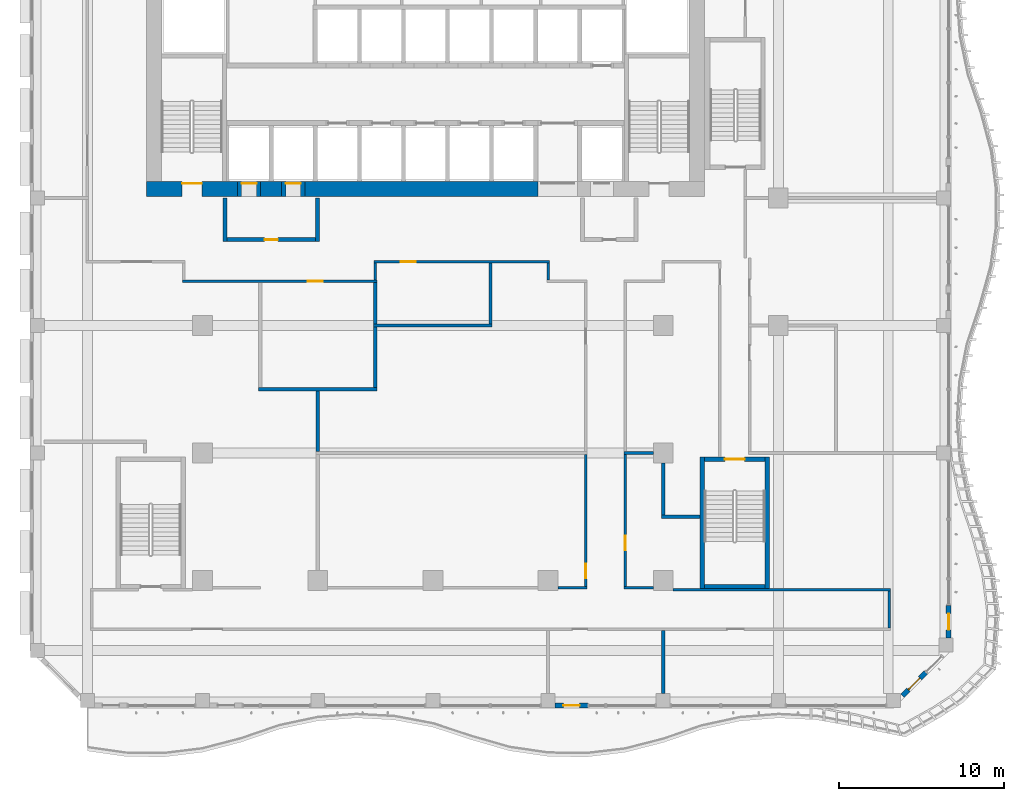
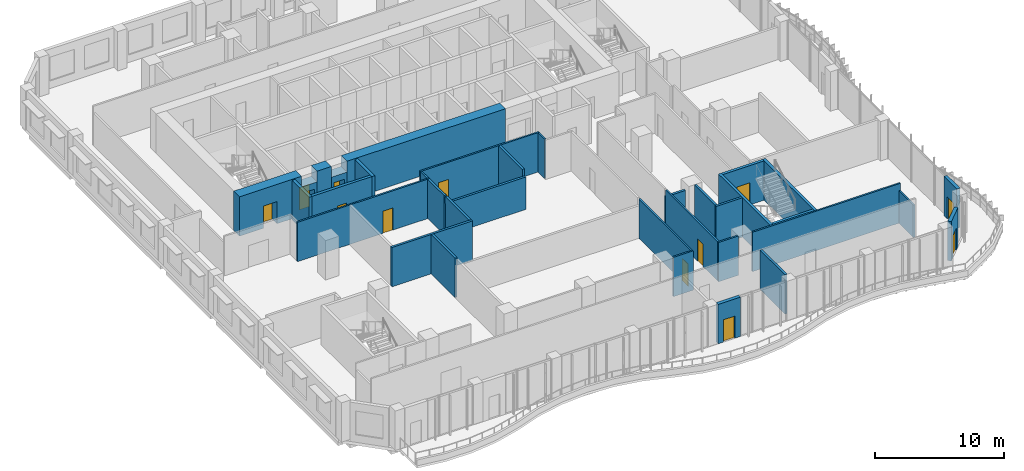
# One storey, part 11 of 26: 35 walls, 12 doors, 12 openings.
"""IFC4 building model written with IfcOpenShell, lengths in metres."""

from ifc_helpers import new_model, si_unit, direction, frame, frame_2d, origin, place, context, subcontext, project, spatial, rectangle, extrude, source, transform, mapped, material, layer, layer_set, type_object, element, fill, save


model = new_model("IFC4")

# Units and contexts
model_context = context("Model", 3, precision=1e-05, world=origin(), true_north=direction((0.0, 1.0)))
body_context = subcontext(model_context, "Body", "Model", "MODEL_VIEW")
ifc_project = project(units=[si_unit("LENGTHUNIT", "METRE"), si_unit("AREAUNIT", "SQUARE_METRE"), si_unit("VOLUMEUNIT", "CUBIC_METRE"), si_unit("PLANEANGLEUNIT", "RADIAN"), si_unit("MASSUNIT", "GRAM", prefix="KILO")], contexts=[model_context])

# Site, building, storey
site_placement = place(None, origin())
site = spatial("IfcSite", under=ifc_project, at=site_placement, CompositionType="ELEMENT")
building_placement = place(site_placement, origin())
building = spatial("IfcBuilding", under=site, at=building_placement, Name="Kilnfold Tower and Market Hall", CompositionType="ELEMENT")
storey_placement = place(building_placement, frame((0.0, 0.0, 108.60009765625)))
storey = spatial("IfcBuildingStorey", under=building, at=storey_placement, Name="L25", CompositionType="ELEMENT", Elevation=108.60009765625)

# Wall, opening, door
ifc_material_1 = material(Name="Gypsum board on steel studs", Category="steel")
ifc_layer_1 = layer(ifc_material_1, 0.14990234375)
ifc_layer_set_1 = layer_set([ifc_layer_1], Name="Gypsum board on steel studs")
wall_type_1 = type_object("IfcWallType", Name="WALL CORRIDOR 150", PredefinedType="PARTITIONING", material=ifc_layer_set_1)
wall_1_placement = place(storey_placement, frame((-13.735107421875, 2.949951171875, 0.0), z_axis=(0.0, 0.0, 1.0), x_axis=(1.0, 0.0, 0.0)))
wall_1 = element("IfcWall", 1, at=wall_1_placement, inside=storey, type_object=wall_type_1, Name="Partition LY16.3", PredefinedType="PARTITIONING", context=body_context, shape_type="SweptSolid", body=[
    extrude(rectangle(XDim=11.835205078125, YDim=0.14990234375, at=frame_2d((5.91748046875, 0.0))), origin(), (0.0, 0.0, 1.0), 3.719970703125),
])
opening_1_placement = place(wall_1_placement, frame((7.6298828125, 0.0, 0.0)))
opening_1 = element("IfcOpeningElement", 2, at=opening_1_placement, cuts=wall_1, Name="Opening D2", PredefinedType="OPENING", context=body_context, shape_type="SweptSolid", body=[
    extrude(rectangle(XDim=0.89990234375, YDim=2.10009765625, at=frame_2d((0.449951171875, 1.050048828125))), frame((0.0, 0.0849609375, 0.0), z_axis=(0.0, -1.0, 0.0), x_axis=(1.0, 0.0, 0.0)), (0.0, 0.0, 1.0), 0.169921875),
])
ifc_material_2 = material(Name="Timber veneer door leaf in steel frame", Category="steel")
door_type_1 = type_object("IfcDoorType", Name="DOOR ROOM 900 X2100", OperationType="NOTDEFINED", PredefinedType="DOOR", material=ifc_material_2)
door_1_placement = place(opening_1_placement, origin())
door_1 = element("IfcDoor", 3, at=door_1_placement, inside=storey, type_object=door_type_1, Name="Door D2", OperationType="SINGLE_SWING_RIGHT", OverallHeight=2.10009765625, OverallWidth=0.89990234375, PredefinedType="DOOR", context=body_context, shape_type="SweptSolid", body=[
    extrude(rectangle(XDim=0.89990234375, YDim=2.10009765625, at=frame_2d((0.449951171875, 1.050048828125))), frame((0.0, 0.02490234375, 0.0), z_axis=(0.0, -1.0, 0.0), x_axis=(1.0, 0.0, 0.0)), (0.0, 0.0, 1.0), 0.050048828125),
])
fill(opening_1, door_1)

wall_2_placement = place(storey_placement, frame((-2.074951171875, 4.125, 0.0), z_axis=(0.0, 0.0, 1.0), x_axis=(1.0, 0.0, 0.0)))
wall_2 = element("IfcWall", 4, at=wall_2_placement, inside=storey, type_object=wall_type_1, Name="Partition LY16.10", PredefinedType="PARTITIONING", context=body_context, shape_type="SweptSolid", body=[
    extrude(rectangle(XDim=10.64990234375, YDim=0.14990234375, at=frame_2d((5.324951171875, 0.0))), origin(), (0.0, 0.0, 1.0), 3.719970703125),
])
opening_2_placement = place(wall_2_placement, frame((1.62109375, 0.0, 0.0)))
opening_2 = element("IfcOpeningElement", 5, at=opening_2_placement, cuts=wall_2, Name="Opening D3", PredefinedType="OPENING", context=body_context, shape_type="SweptSolid", body=[
    extrude(rectangle(XDim=0.89990234375, YDim=2.10009765625, at=frame_2d((0.449951171875, 1.050048828125))), frame((0.0, 0.0849609375, 0.0), z_axis=(0.0, -1.0, 0.0), x_axis=(1.0, 0.0, 0.0)), (0.0, 0.0, 1.0), 0.169921875),
])
ifc_material_3 = material(Name="Timber veneer door leaf in steel frame", Category="steel")
door_type_2 = type_object("IfcDoorType", Name="DOOR WC 900 X2100", OperationType="NOTDEFINED", PredefinedType="DOOR", material=ifc_material_3)
door_2_placement = place(opening_2_placement, origin())
door_2 = element("IfcDoor", 6, at=door_2_placement, inside=storey, type_object=door_type_2, Name="Door D3", OperationType="SINGLE_SWING_LEFT", OverallHeight=2.10009765625, OverallWidth=0.89990234375, PredefinedType="DOOR", context=body_context, shape_type="SweptSolid", body=[
    extrude(rectangle(XDim=0.89990234375, YDim=2.10009765625, at=frame_2d((0.449951171875, 1.050048828125))), frame((0.0, 0.02490234375, 0.0), z_axis=(0.0, -1.0, 0.0), x_axis=(1.0, 0.0, 0.0)), (0.0, 0.0, 1.0), 0.050048828125),
])
fill(opening_2, door_2)

# Walls
wall_3_placement = place(storey_placement, frame((-2.0, 3.02490234375, 0.0), z_axis=(0.0, 0.0, 1.0), x_axis=(0.0, 1.0, 0.0)))
element("IfcWall", 7, at=wall_3_placement, inside=storey, type_object=wall_type_1, Name="Partition LY16.11", PredefinedType="PARTITIONING", context=body_context, shape_type="SweptSolid", body=[
    extrude(rectangle(XDim=1.025146484375, YDim=0.14990234375, at=frame_2d((0.5126953125, 0.0))), origin(), (0.0, 0.0, 1.0), 3.719970703125),
])
wall_4_placement = place(storey_placement, frame((9.10009765625, -15.699951171875, 0.0), z_axis=(0.0, 0.0, 1.0), x_axis=(1.0, 0.0, 0.0)))
element("IfcWall", 8, at=wall_4_placement, inside=storey, type_object=wall_type_1, Name="Partition LY16.14", PredefinedType="PARTITIONING", context=body_context, shape_type="SweptSolid", body=[
    extrude(rectangle(XDim=1.77490234375, YDim=0.14990234375, at=frame_2d((0.887451171875, 0.0))), origin(), (0.0, 0.0, 1.0), 3.719970703125),
])

# Wall, opening, door
wall_5_placement = place(storey_placement, frame((10.800048828125, -15.625, 0.0), z_axis=(0.0, 0.0, 1.0), x_axis=(0.0, 1.0, 0.0)))
wall_5 = element("IfcWall", 9, at=wall_5_placement, inside=storey, type_object=wall_type_1, Name="Partition LY16.15", PredefinedType="PARTITIONING", context=body_context, shape_type="SweptSolid", body=[
    extrude(rectangle(XDim=8.034912109375, YDim=0.14990234375, at=frame_2d((4.017578125, 0.0))), origin(), (0.0, 0.0, 1.0), 3.719970703125),
])
opening_3_placement = place(wall_5_placement, frame((0.501953125, 0.0, 0.0)))
opening_3 = element("IfcOpeningElement", 10, at=opening_3_placement, cuts=wall_5, Name="Opening D2", PredefinedType="OPENING", context=body_context, shape_type="SweptSolid", body=[
    extrude(rectangle(XDim=0.89990234375, YDim=2.10009765625, at=frame_2d((0.449951171875, 1.050048828125))), frame((0.0, 0.0849609375, 0.0), z_axis=(0.0, -1.0, 0.0), x_axis=(1.0, 0.0, 0.0)), (0.0, 0.0, 1.0), 0.169921875),
])
door_3_placement = place(opening_3_placement, origin())
door_3 = element("IfcDoor", 11, at=door_3_placement, inside=storey, type_object=door_type_1, Name="Door D2", OperationType="SINGLE_SWING_LEFT", OverallHeight=2.10009765625, OverallWidth=0.89990234375, PredefinedType="DOOR", context=body_context, shape_type="SweptSolid", body=[
    extrude(rectangle(XDim=0.89990234375, YDim=2.10009765625, at=frame_2d((0.449951171875, 1.050048828125))), frame((0.0, 0.02490234375, 0.0), z_axis=(0.0, -1.0, 0.0), x_axis=(1.0, 0.0, 0.0)), (0.0, 0.0, 1.0), 0.050048828125),
])
fill(opening_3, door_3)

# Walls
wall_6_placement = place(storey_placement, frame((8.5, 4.050048828125, 0.0), z_axis=(0.0, 0.0, 1.0), x_axis=(0.0, -1.0, 0.0)))
element("IfcWall", 12, at=wall_6_placement, inside=storey, type_object=wall_type_1, Name="Partition LY16.18", PredefinedType="PARTITIONING", context=body_context, shape_type="SweptSolid", body=[
    extrude(rectangle(XDim=1.025146484375, YDim=0.14990234375, at=frame_2d((0.5126953125, 0.0))), origin(), (0.0, 0.0, 1.0), 3.719970703125),
])
wall_7_placement = place(storey_placement, frame((13.125, -15.699951171875, 0.0), z_axis=(0.0, 0.0, 1.0), x_axis=(1.0, 0.0, 0.0)))
element("IfcWall", 13, at=wall_7_placement, inside=storey, type_object=wall_type_1, Name="Partition LY16.19", PredefinedType="PARTITIONING", context=body_context, shape_type="SweptSolid", body=[
    extrude(rectangle(XDim=1.77490234375, YDim=0.14990234375, at=frame_2d((0.887451171875, 0.0))), origin(), (0.0, 0.0, 1.0), 3.719970703125),
])
wall_8_placement = place(storey_placement, frame((16.10009765625, -15.824951171875, 0.0), z_axis=(0.0, 0.0, 1.0), x_axis=(1.0, 0.0, 0.0)))
element("IfcWall", 14, at=wall_8_placement, inside=storey, type_object=wall_type_1, Name="Partition LY16.20", PredefinedType="PARTITIONING", context=body_context, shape_type="SweptSolid", body=[
    extrude(rectangle(XDim=13.224853515625, YDim=0.14990234375, at=frame_2d((6.6123046875, 0.0))), origin(), (0.0, 0.0, 1.0), 3.719970703125),
])

# Wall, opening, door
wall_9_placement = place(storey_placement, frame((13.199951171875, -15.625, 0.0), z_axis=(0.0, 0.0, 1.0), x_axis=(0.0, 1.0, 0.0)))
wall_9 = element("IfcWall", 15, at=wall_9_placement, inside=storey, type_object=wall_type_1, Name="Partition LY16.21", PredefinedType="PARTITIONING", context=body_context, shape_type="SweptSolid", body=[
    extrude(rectangle(XDim=8.034912109375, YDim=0.14990234375, at=frame_2d((4.017578125, 0.0))), origin(), (0.0, 0.0, 1.0), 3.719970703125),
])
opening_4_placement = place(wall_9_placement, frame((2.2099609375, 0.0, 0.0)))
opening_4 = element("IfcOpeningElement", 16, at=opening_4_placement, cuts=wall_9, Name="Opening D3", PredefinedType="OPENING", context=body_context, shape_type="SweptSolid", body=[
    extrude(rectangle(XDim=0.89990234375, YDim=2.10009765625, at=frame_2d((0.449951171875, 1.050048828125))), frame((0.0, 0.0849609375, 0.0), z_axis=(0.0, -1.0, 0.0), x_axis=(1.0, 0.0, 0.0)), (0.0, 0.0, 1.0), 0.169921875),
])
door_4_placement = place(opening_4_placement, origin())
door_4 = element("IfcDoor", 17, at=door_4_placement, inside=storey, type_object=door_type_2, Name="Door D3", OperationType="SINGLE_SWING_LEFT", OverallHeight=2.10009765625, OverallWidth=0.89990234375, PredefinedType="DOOR", context=body_context, shape_type="SweptSolid", body=[
    extrude(rectangle(XDim=0.89990234375, YDim=2.10009765625, at=frame_2d((0.449951171875, 1.050048828125))), frame((0.0, 0.02490234375, 0.0), z_axis=(0.0, -1.0, 0.0), x_axis=(1.0, 0.0, 0.0)), (0.0, 0.0, 1.0), 0.050048828125),
])
fill(opening_4, door_4)

# Walls
wall_10_placement = place(storey_placement, frame((29.25, -18.125, 0.0), z_axis=(0.0, 0.0, 1.0), x_axis=(0.0, 1.0, 0.0)))
element("IfcWall", 18, at=wall_10_placement, inside=storey, type_object=wall_type_1, Name="Partition LY16.22", PredefinedType="PARTITIONING", context=body_context, shape_type="SweptSolid", body=[
    extrude(rectangle(XDim=2.22509765625, YDim=0.14990234375, at=frame_2d((1.112548828125, 0.0))), origin(), (0.0, 0.0, 1.0), 3.06982421875),
])
ifc_material_4 = material(Name="Gypsum board on steel studs", Category="steel")
ifc_layer_2 = layer(ifc_material_4, 0.199951171875)
ifc_layer_set_2 = layer_set([ifc_layer_2], Name="Gypsum board on steel studs")
wall_type_2 = type_object("IfcWallType", Name="WALL PARTY 200", PredefinedType="PARTITIONING", material=ifc_layer_set_2)
wall_11_placement = place(storey_placement, frame((-9.10009765625, -3.625, 0.0), z_axis=(0.0, 0.0, 1.0), x_axis=(1.0, 0.0, 0.0)))
element("IfcWall", 19, at=wall_11_placement, inside=storey, type_object=wall_type_2, Name="Partition LY16.37", PredefinedType="PARTITIONING", context=body_context, shape_type="SweptSolid", body=[
    extrude(rectangle(XDim=7.2001953125, YDim=0.199951171875, at=frame_2d((3.60009765625, 0.0))), origin(), (0.0, 0.0, 1.0), 3.719970703125),
])
wall_12_placement = place(storey_placement, frame((-5.5, -7.409912109375, 0.0), z_axis=(0.0, 0.0, 1.0), x_axis=(0.0, 1.0, 0.0)))
element("IfcWall", 20, at=wall_12_placement, inside=storey, type_object=wall_type_2, Name="Partition LY16.41", PredefinedType="PARTITIONING", context=body_context, shape_type="SweptSolid", body=[
    extrude(rectangle(XDim=3.684814453125, YDim=0.199951171875, at=frame_2d((1.84228515625, 0.0))), origin(), (0.0, 0.0, 1.0), 3.719970703125),
])
wall_13_placement = place(storey_placement, frame((-2.0, 0.340087890625, 0.0), z_axis=(0.0, 0.0, 1.0), x_axis=(0.0, 1.0, 0.0)))
element("IfcWall", 21, at=wall_13_placement, inside=storey, type_object=wall_type_2, Name="Partition LY16.43", PredefinedType="PARTITIONING", context=body_context, shape_type="SweptSolid", body=[
    extrude(rectangle(XDim=2.533935546875, YDim=0.199951171875, at=frame_2d((1.26708984375, 0.0))), origin(), (0.0, 0.0, 1.0), 3.719970703125),
])
wall_14_placement = place(storey_placement, frame((-2.0, -3.52490234375, 0.0), z_axis=(0.0, 0.0, 1.0), x_axis=(0.0, 1.0, 0.0)))
element("IfcWall", 22, at=wall_14_placement, inside=storey, type_object=wall_type_2, Name="Partition LY16.44", PredefinedType="PARTITIONING", context=body_context, shape_type="SweptSolid", body=[
    extrude(rectangle(XDim=3.684814453125, YDim=0.199951171875, at=frame_2d((1.84228515625, 0.0))), origin(), (0.0, 0.0, 1.0), 3.719970703125),
])
wall_15_placement = place(storey_placement, frame((5.0, 0.35009765625, 0.0), z_axis=(0.0, 0.0, 1.0), x_axis=(0.0, 1.0, 0.0)))
element("IfcWall", 23, at=wall_15_placement, inside=storey, type_object=wall_type_2, Name="Partition LY16.46", PredefinedType="PARTITIONING", context=body_context, shape_type="SweptSolid", body=[
    extrude(rectangle(XDim=3.698974609375, YDim=0.199951171875, at=frame_2d((1.849609375, 0.0))), origin(), (0.0, 0.0, 1.0), 3.719970703125),
])
wall_16_placement = place(storey_placement, frame((-2.10009765625, 0.25, 0.0), z_axis=(0.0, 0.0, 1.0), x_axis=(1.0, 0.0, 0.0)))
element("IfcWall", 24, at=wall_16_placement, inside=storey, type_object=wall_type_2, Name="Partition LY16.47", PredefinedType="PARTITIONING", context=body_context, shape_type="SweptSolid", body=[
    extrude(rectangle(XDim=7.2001953125, YDim=0.199951171875, at=frame_2d((3.60009765625, 0.0))), origin(), (0.0, 0.0, 1.0), 3.06982421875),
])
wall_17_placement = place(storey_placement, frame((15.5, -22.125, 0.0), z_axis=(0.0, 0.0, 1.0), x_axis=(0.0, 1.0, 0.0)))
element("IfcWall", 25, at=wall_17_placement, inside=storey, type_object=wall_type_2, Name="Partition LY16.48", PredefinedType="PARTITIONING", context=body_context, shape_type="SweptSolid", body=[
    extrude(rectangle(XDim=3.84912109375, YDim=0.199951171875, at=frame_2d((1.924560546875, 0.0))), origin(), (0.0, 0.0, 1.0), 3.719970703125),
])
wall_18_placement = place(storey_placement, frame((13.1259765625, -7.5, 0.0), z_axis=(0.0, 0.0, 1.0), x_axis=(1.0, 0.0, 0.0)))
element("IfcWall", 26, at=wall_18_placement, inside=storey, type_object=wall_type_2, Name="Partition LY16.50", PredefinedType="PARTITIONING", context=body_context, shape_type="SweptSolid", body=[
    extrude(rectangle(XDim=1.77392578125, YDim=0.199951171875, at=frame_2d((0.886962890625, 0.0))), origin(), (0.0, 0.0, 1.0), 3.06982421875),
])
wall_19_placement = place(storey_placement, frame((15.5, -11.27490234375, 0.0), z_axis=(0.0, 0.0, 1.0), x_axis=(0.0, 1.0, 0.0)))
element("IfcWall", 27, at=wall_19_placement, inside=storey, type_object=wall_type_2, Name="Partition LY16.51", PredefinedType="PARTITIONING", context=body_context, shape_type="SweptSolid", body=[
    extrude(rectangle(XDim=3.1748046875, YDim=0.199951171875, at=frame_2d((1.58740234375, 0.0))), origin(), (0.0, 0.0, 1.0), 3.719970703125),
])
wall_20_placement = place(storey_placement, frame((17.75, -11.375, 0.0), z_axis=(0.0, 0.0, 1.0), x_axis=(-1.0, 0.0, 0.0)))
element("IfcWall", 28, at=wall_20_placement, inside=storey, type_object=wall_type_2, Name="Partition LY16.52", PredefinedType="PARTITIONING", context=body_context, shape_type="SweptSolid", body=[
    extrude(rectangle(XDim=2.35009765625, YDim=0.199951171875, at=frame_2d((1.175048828125, 0.0))), origin(), (0.0, 0.0, 1.0), 3.719970703125),
])
ifc_material_5 = material(Name="Concrete C70", Category="concrete")
ifc_layer_3 = layer(ifc_material_5, 0.25)
ifc_layer_set_3 = layer_set([ifc_layer_3], Name="Concrete C70")
wall_type_3 = type_object("IfcWallType", Name="CORE WALL 250 C70", PredefinedType="SHEAR", material=ifc_layer_set_3)
shared_shape_1 = source(origin(), body_context, "Body", "SweptSolid", [
    extrude(rectangle(XDim=3.699951171875, YDim=0.25, at=frame_2d((1.85009765625, 0.0))), origin(), (0.0, 0.0, 1.0), 3.719970703125),
])
wall_21_placement = place(storey_placement, frame((18.0, -15.625, 0.0), z_axis=(0.0, 0.0, 1.0), x_axis=(1.0, 0.0, 0.0)))
element("IfcWall", 29, at=wall_21_placement, inside=storey, type_object=wall_type_3, Name="Stair enclosure ST4", PredefinedType="SHEAR", context=body_context, shape_type="MappedRepresentation", body=[
    mapped(shared_shape_1, transform((0.0, 0.0, 0.0))),
])

# Wall, opening, door
wall_22_placement = place(storey_placement, frame((18.0, -7.875, 0.0), z_axis=(0.0, 0.0, 1.0), x_axis=(1.0, 0.0, 0.0)))
wall_22 = element("IfcWall", 30, at=wall_22_placement, inside=storey, type_object=wall_type_3, Name="Stair enclosure ST4", PredefinedType="SHEAR", context=body_context, shape_type="MappedRepresentation", body=[
    mapped(shared_shape_1, transform((0.0, 0.0, 0.0))),
])
opening_5_placement = place(wall_22_placement, frame((1.25, 0.0, 0.0)))
opening_5 = element("IfcOpeningElement", 31, at=opening_5_placement, cuts=wall_22, Name="Opening SD1", PredefinedType="OPENING", context=body_context, shape_type="SweptSolid", body=[
    extrude(rectangle(XDim=1.199951171875, YDim=2.10009765625, at=frame_2d((0.60009765625, 1.050048828125))), frame((0.0, 0.135009765625, 0.0), z_axis=(0.0, -1.0, 0.0), x_axis=(1.0, 0.0, 0.0)), (0.0, 0.0, 1.0), 0.27001953125),
])
ifc_material_6 = material(Name="Steel door set with fire-resisting leaf", Category="steel")
door_type_3 = type_object("IfcDoorType", Name="STAIR FLOOR DOOR 1200X2100", OperationType="NOTDEFINED", PredefinedType="DOOR", material=ifc_material_6)
door_5_placement = place(opening_5_placement, origin())
door_5 = element("IfcDoor", 32, at=door_5_placement, inside=storey, type_object=door_type_3, Name="Exit stair ST4 door", OperationType="DOUBLE_DOOR_SINGLE_SWING", OverallHeight=2.10009765625, OverallWidth=1.199951171875, PredefinedType="DOOR", context=body_context, shape_type="SweptSolid", body=[
    extrude(rectangle(XDim=1.199951171875, YDim=2.10009765625, at=frame_2d((0.60009765625, 1.050048828125))), frame((0.0, 0.02490234375, 0.0), z_axis=(0.0, -1.0, 0.0), x_axis=(1.0, 0.0, 0.0)), (0.0, 0.0, 1.0), 0.050048828125),
])
fill(opening_5, door_5)

# Walls
shared_shape_2 = source(origin(), body_context, "Body", "SweptSolid", [
    extrude(rectangle(XDim=8.0, YDim=0.25, at=frame_2d((4.0, 0.0))), origin(), (0.0, 0.0, 1.0), 3.719970703125),
])
for number, where, z_axis, x_axis, name in (
    (33, (17.875, -15.75, 0.0), (0.0, 0.0, 1.0), (0.0, 1.0, 0.0), "Stair enclosure ST4"),
    (34, (21.824951171875, -15.75, 0.0), (0.0, 0.0, 1.0), (0.0, 1.0, 0.0), "Stair enclosure ST4"),
):
    element("IfcWall", number, at=place(storey_placement, frame(where, z_axis=z_axis, x_axis=x_axis)), inside=storey, type_object=wall_type_3, Name=name, PredefinedType="SHEAR", context=body_context, shape_type="MappedRepresentation", body=[
        mapped(shared_shape_2, transform((0.0, 0.0, 0.0))),
    ])

# Wall, opening, door
ifc_material_7 = material(Name="Concrete C70", Category="concrete")
ifc_layer_4 = layer(ifc_material_7, 0.89990234375)
ifc_layer_set_4 = layer_set([ifc_layer_4], Name="Concrete C70")
wall_type_4 = type_object("IfcWallType", Name="CORE WALL 900 C70", PredefinedType="SHEAR", material=ifc_layer_set_4)
shared_shape_3 = source(origin(), body_context, "Body", "SweptSolid", [
    extrude(rectangle(XDim=5.52978515625, YDim=0.89990234375, at=frame_2d((2.764892578125, 0.0))), origin(), (0.0, 0.0, 1.0), 3.719970703125),
])
wall_23_placement = place(storey_placement, frame((-15.89990234375, 8.550048828125, 0.0), z_axis=(0.0, 0.0, 1.0), x_axis=(1.0, 0.0, 0.0)))
wall_23 = element("IfcWall", 35, at=wall_23_placement, inside=storey, type_object=wall_type_4, Name="Core outer wall south", PredefinedType="SHEAR", context=body_context, shape_type="MappedRepresentation", body=[
    mapped(shared_shape_3, transform((0.0, 0.0, 0.0))),
])
opening_6_placement = place(wall_23_placement, frame((2.14990234375, 0.0, 0.0)))
opening_6 = element("IfcOpeningElement", 36, at=opening_6_placement, cuts=wall_23, Name="Opening SD1", PredefinedType="OPENING", context=body_context, shape_type="SweptSolid", body=[
    extrude(rectangle(XDim=1.199951171875, YDim=2.10009765625, at=frame_2d((0.60009765625, 1.050048828125))), frame((0.0, 0.4599609375, 0.0), z_axis=(0.0, -1.0, 0.0), x_axis=(1.0, 0.0, 0.0)), (0.0, 0.0, 1.0), 0.919921875),
])
door_6_placement = place(opening_6_placement, origin())
door_6 = element("IfcDoor", 37, at=door_6_placement, inside=storey, type_object=door_type_3, Name="Exit stair ST1 door", OperationType="DOUBLE_DOOR_SINGLE_SWING", OverallHeight=2.10009765625, OverallWidth=1.199951171875, PredefinedType="DOOR", context=body_context, shape_type="SweptSolid", body=[
    extrude(rectangle(XDim=1.199951171875, YDim=2.10009765625, at=frame_2d((0.60009765625, 1.050048828125))), frame((0.0, 0.35498046875, 0.0), z_axis=(0.0, -1.0, 0.0), x_axis=(1.0, 0.0, 0.0)), (0.0, 0.0, 1.0), 0.050048828125),
])
fill(opening_6, door_6)

# Walls
shared_shape_4 = source(origin(), body_context, "Body", "SweptSolid", [
    extrude(rectangle(XDim=1.280029296875, YDim=0.89990234375, at=frame_2d((0.64013671875, 0.0))), origin(), (0.0, 0.0, 1.0), 3.719970703125),
])
wall_24_placement = place(storey_placement, frame((-8.969970703125, 8.550048828125, 0.0), z_axis=(0.0, 0.0, 1.0), x_axis=(1.0, 0.0, 0.0)))
element("IfcWall", 38, at=wall_24_placement, inside=storey, type_object=wall_type_4, Name="Core outer wall south", PredefinedType="SHEAR", context=body_context, shape_type="MappedRepresentation", body=[
    mapped(shared_shape_4, transform((0.0, 0.0, 0.0))),
])
shared_shape_5 = source(origin(), body_context, "Body", "SweptSolid", [
    extrude(rectangle(XDim=14.179931640625, YDim=0.89990234375, at=frame_2d((7.08984375, 0.0))), origin(), (0.0, 0.0, 1.0), 3.719970703125),
])
wall_25_placement = place(storey_placement, frame((-6.2900390625, 8.550048828125, 0.0), z_axis=(0.0, 0.0, 1.0), x_axis=(1.0, 0.0, 0.0)))
element("IfcWall", 39, at=wall_25_placement, inside=storey, type_object=wall_type_4, Name="Core outer wall south", PredefinedType="SHEAR", context=body_context, shape_type="MappedRepresentation", body=[
    mapped(shared_shape_5, transform((0.0, 0.0, 0.0))),
])

# Wall, opening, door
ifc_material_8 = material(Name="Precast concrete C50/60", Category="concrete")
ifc_layer_5 = layer(ifc_material_8, 0.300048828125)
ifc_layer_set_5 = layer_set([ifc_layer_5], Name="Precast concrete C50/60")
wall_type_5 = type_object("IfcWallType", Name="PRECAST WALL 300", PredefinedType="SOLIDWALL", material=ifc_layer_set_5)
shared_shape_6 = source(origin(), body_context, "Body", "SweptSolid", [
    extrude(rectangle(XDim=2.0, YDim=0.300048828125, at=frame_2d((1.0, 0.0))), origin(), (0.0, 0.0, 1.0), 3.719970703125),
])
wall_26_placement = place(storey_placement, frame((8.925048828125, -22.85009765625, 0.0), z_axis=(0.0, 0.0, 1.0), x_axis=(1.0, 0.0, 0.0)))
wall_26 = element("IfcWall", 40, at=wall_26_placement, inside=storey, type_object=wall_type_5, Name="External wall L25 S", PredefinedType="SOLIDWALL", context=body_context, shape_type="MappedRepresentation", body=[
    mapped(shared_shape_6, transform((0.0, 0.0, 0.0))),
])
opening_7_placement = place(wall_26_placement, frame((0.5, 0.0, 0.0)))
opening_7 = element("IfcOpeningElement", 41, at=opening_7_placement, cuts=wall_26, Name="Opening BD1", PredefinedType="OPENING", context=body_context, shape_type="SweptSolid", body=[
    extrude(rectangle(XDim=1.0, YDim=2.10009765625, at=frame_2d((0.5, 1.050048828125))), frame((0.0, 0.16015625, 0.0), z_axis=(0.0, -1.0, 0.0), x_axis=(1.0, 0.0, 0.0)), (0.0, 0.0, 1.0), 0.320068359375),
])
ifc_material_9 = material(Name="Aluminium frame and double glazing", Category="aluminium")
door_type_4 = type_object("IfcDoorType", Name="BALCONY DOOR 1000X2100", OperationType="NOTDEFINED", PredefinedType="DOOR", material=ifc_material_9)
door_7_placement = place(opening_7_placement, origin())
door_7 = element("IfcDoor", 42, at=door_7_placement, inside=storey, type_object=door_type_4, Name="Balcony door BD1 L25 S-1", OperationType="SINGLE_SWING_LEFT", OverallHeight=2.10009765625, OverallWidth=1.0, PredefinedType="DOOR", context=body_context, shape_type="SweptSolid", body=[
    extrude(rectangle(XDim=1.0, YDim=2.10009765625, at=frame_2d((0.5, 1.050048828125))), frame((0.0, 0.02490234375, 0.0), z_axis=(0.0, -1.0, 0.0), x_axis=(1.0, 0.0, 0.0)), (0.0, 0.0, 1.0), 0.050048828125),
])
fill(opening_7, door_7)

wall_27_placement = place(storey_placement, frame((30.0439453125, -22.243896484375, 0.0), z_axis=(0.0, 0.0, 1.0), x_axis=(0.707045742145, 0.70716781496, 0.0)))
wall_27 = element("IfcWall", 43, at=wall_27_placement, inside=storey, type_object=wall_type_5, Name="External wall L25 SE", PredefinedType="SOLIDWALL", context=body_context, shape_type="MappedRepresentation", body=[
    mapped(shared_shape_6, transform((0.0, 0.0, 0.0))),
])
opening_8_placement = place(wall_27_placement, frame((0.5, 0.0, 0.0)))
opening_8 = element("IfcOpeningElement", 44, at=opening_8_placement, cuts=wall_27, Name="Opening BD1", PredefinedType="OPENING", context=body_context, shape_type="SweptSolid", body=[
    extrude(rectangle(XDim=1.0, YDim=2.10009765625, at=frame_2d((0.5, 1.050048828125))), frame((0.0, 0.16015625, 0.0), z_axis=(0.0, -1.0, 0.0), x_axis=(1.0, 0.0, 0.0)), (0.0, 0.0, 1.0), 0.320068359375),
])
door_8_placement = place(opening_8_placement, origin())
door_8 = element("IfcDoor", 45, at=door_8_placement, inside=storey, type_object=door_type_4, Name="Balcony door BD1 L25 SE-1", OperationType="SINGLE_SWING_LEFT", OverallHeight=2.10009765625, OverallWidth=1.0, PredefinedType="DOOR", context=body_context, shape_type="SweptSolid", body=[
    extrude(rectangle(XDim=1.0, YDim=2.10009765625, at=frame_2d((0.5, 1.050048828125))), frame((0.0, 0.02490234375, 0.0), z_axis=(0.0, -1.0, 0.0), x_axis=(1.0, 0.0, 0.0)), (0.0, 0.0, 1.0), 0.050048828125),
])
fill(opening_8, door_8)

wall_28_placement = place(storey_placement, frame((32.85009765625, -18.7568359375, 0.0), z_axis=(0.0, 0.0, 1.0), x_axis=(0.0, 1.0, 0.0)))
wall_28 = element("IfcWall", 46, at=wall_28_placement, inside=storey, type_object=wall_type_5, Name="External wall L25 E", PredefinedType="SOLIDWALL", context=body_context, shape_type="MappedRepresentation", body=[
    mapped(shared_shape_6, transform((0.0, 0.0, 0.0))),
])
opening_9_placement = place(wall_28_placement, frame((0.5, 0.0, 0.0)))
opening_9 = element("IfcOpeningElement", 47, at=opening_9_placement, cuts=wall_28, Name="Opening BD1", PredefinedType="OPENING", context=body_context, shape_type="SweptSolid", body=[
    extrude(rectangle(XDim=1.0, YDim=2.10009765625, at=frame_2d((0.5, 1.050048828125))), frame((0.0, 0.16015625, 0.0), z_axis=(0.0, -1.0, 0.0), x_axis=(1.0, 0.0, 0.0)), (0.0, 0.0, 1.0), 0.320068359375),
])
door_9_placement = place(opening_9_placement, origin())
door_9 = element("IfcDoor", 48, at=door_9_placement, inside=storey, type_object=door_type_4, Name="Balcony door BD1 L25 E-1", OperationType="SINGLE_SWING_LEFT", OverallHeight=2.10009765625, OverallWidth=1.0, PredefinedType="DOOR", context=body_context, shape_type="SweptSolid", body=[
    extrude(rectangle(XDim=1.0, YDim=2.10009765625, at=frame_2d((0.5, 1.050048828125))), frame((0.0, 0.02490234375, 0.0), z_axis=(0.0, -1.0, 0.0), x_axis=(1.0, 0.0, 0.0)), (0.0, 0.0, 1.0), 0.050048828125),
])
fill(opening_9, door_9)

# Walls
ifc_material_10 = material(Name="Gypsum shaft wall system")
ifc_layer_6 = layer(ifc_material_10, 0.25)
ifc_layer_set_6 = layer_set([ifc_layer_6], Name="Gypsum shaft wall system")
wall_type_6 = type_object("IfcWallType", Name="LOBBY WALL 250", PredefinedType="PARTITIONING", material=ifc_layer_set_6)
shared_shape_7 = source(origin(), body_context, "Body", "SweptSolid", [
    extrude(rectangle(XDim=2.64990234375, YDim=0.25, at=frame_2d((1.324951171875, 0.0))), origin(), (0.0, 0.0, 1.0), 3.719970703125),
])
for number, where, z_axis, x_axis, name in (
    (49, (-11.135009765625, 5.35009765625, 0.0), (0.0, 0.0, 1.0), (0.0, 1.0, 0.0), "Firefighting lobby wall"),
    (50, (-5.52490234375, 5.35009765625, 0.0), (0.0, 0.0, 1.0), (0.0, 1.0, 0.0), "Firefighting lobby wall"),
):
    element("IfcWall", number, at=place(storey_placement, frame(where, z_axis=z_axis, x_axis=x_axis)), inside=storey, type_object=wall_type_6, Name=name, PredefinedType="PARTITIONING", context=body_context, shape_type="MappedRepresentation", body=[
        mapped(shared_shape_7, transform((0.0, 0.0, 0.0))),
    ])

# Wall, opening, door
shared_shape_8 = source(origin(), body_context, "Body", "SweptSolid", [
    extrude(rectangle(XDim=5.360107421875, YDim=0.25, at=frame_2d((2.68017578125, 0.0))), origin(), (0.0, 0.0, 1.0), 3.719970703125),
])
wall_29_placement = place(storey_placement, frame((-11.010009765625, 5.47509765625, 0.0), z_axis=(0.0, 0.0, 1.0), x_axis=(1.0, 0.0, 0.0)))
wall_29 = element("IfcWall", 51, at=wall_29_placement, inside=storey, type_object=wall_type_6, Name="Firefighting lobby wall", PredefinedType="PARTITIONING", context=body_context, shape_type="MappedRepresentation", body=[
    mapped(shared_shape_8, transform((0.0, 0.0, 0.0))),
])
opening_10_placement = place(wall_29_placement, frame((2.280029296875, 0.0, 0.0)))
opening_10 = element("IfcOpeningElement", 52, at=opening_10_placement, cuts=wall_29, Name="Opening VD1", PredefinedType="OPENING", context=body_context, shape_type="SweptSolid", body=[
    extrude(rectangle(XDim=0.800048828125, YDim=2.0, at=frame_2d((0.39990234375, 1.0))), frame((0.0, 0.135009765625, 0.0), z_axis=(0.0, -1.0, 0.0), x_axis=(1.0, 0.0, 0.0)), (0.0, 0.0, 1.0), 0.27001953125),
])
ifc_material_11 = material(Name="Steel door set with fire-resisting leaf", Category="steel")
door_type_5 = type_object("IfcDoorType", Name="FIREFIGHTING LOBBY DOOR 800X2000", OperationType="NOTDEFINED", PredefinedType="DOOR", material=ifc_material_11)
door_10_placement = place(opening_10_placement, origin())
door_10 = element("IfcDoor", 53, at=door_10_placement, inside=storey, type_object=door_type_5, Name="Firefighting lobby door", OperationType="SINGLE_SWING_LEFT", OverallHeight=2.0, OverallWidth=0.800048828125, PredefinedType="DOOR", context=body_context, shape_type="SweptSolid", body=[
    extrude(rectangle(XDim=0.800048828125, YDim=2.0, at=frame_2d((0.39990234375, 1.0))), frame((0.0, 0.02490234375, 0.0), z_axis=(0.0, -1.0, 0.0), x_axis=(1.0, 0.0, 0.0)), (0.0, 0.0, 1.0), 0.050048828125),
])
fill(opening_10, door_10)

ifc_material_12 = material(Name="Gypsum shaft wall system")
ifc_layer_7 = layer(ifc_material_12, 0.89990234375)
ifc_layer_set_7 = layer_set([ifc_layer_7], Name="Gypsum shaft wall system")
wall_type_7 = type_object("IfcWallType", Name="LOBBY WALL 900", PredefinedType="PARTITIONING", material=ifc_layer_set_7)
shared_shape_9 = source(origin(), body_context, "Body", "SweptSolid", [
    extrude(rectangle(XDim=1.400146484375, YDim=0.89990234375, at=frame_2d((0.7001953125, 0.0))), origin(), (0.0, 0.0, 1.0), 2.699951171875),
])
wall_30_placement = place(storey_placement, frame((-10.3701171875, 8.550048828125, 0.0), z_axis=(0.0, 0.0, 1.0), x_axis=(1.0, 0.0, 0.0)))
wall_30 = element("IfcWall", 54, at=wall_30_placement, inside=storey, type_object=wall_type_7, Name="Core wall infill", PredefinedType="PARTITIONING", context=body_context, shape_type="MappedRepresentation", body=[
    mapped(shared_shape_9, transform((0.0, 0.0, 0.0))),
])
opening_11_placement = place(wall_30_placement, frame((0.25, 0.0, 0.0)))
opening_11 = element("IfcOpeningElement", 55, at=opening_11_placement, cuts=wall_30, Name="Opening LD1", PredefinedType="OPENING", context=body_context, shape_type="SweptSolid", body=[
    extrude(rectangle(XDim=0.89990234375, YDim=2.10009765625, at=frame_2d((0.449951171875, 1.050048828125))), frame((0.0, 0.4599609375, 0.0), z_axis=(0.0, -1.0, 0.0), x_axis=(1.0, 0.0, 0.0)), (0.0, 0.0, 1.0), 0.919921875),
])
ifc_material_13 = material(Name="Steel door set with fire-resisting leaf", Category="steel")
door_type_6 = type_object("IfcDoorType", Name="FIREFIGHTING LANDING DOOR 900X2100", OperationType="NOTDEFINED", PredefinedType="DOOR", material=ifc_material_13)
door_11_placement = place(opening_11_placement, origin())
door_11 = element("IfcDoor", 56, at=door_11_placement, inside=storey, type_object=door_type_6, Name="Landing door FF1", OperationType="SLIDING_TO_LEFT", OverallHeight=2.10009765625, OverallWidth=0.89990234375, PredefinedType="DOOR", context=body_context, shape_type="SweptSolid", body=[
    extrude(rectangle(XDim=0.89990234375, YDim=2.10009765625, at=frame_2d((0.449951171875, 1.050048828125))), frame((0.0, 0.35498046875, 0.0), z_axis=(0.0, -1.0, 0.0), x_axis=(1.0, 0.0, 0.0)), (0.0, 0.0, 1.0), 0.050048828125),
])
fill(opening_11, door_11)

shared_shape_10 = source(origin(), body_context, "Body", "SweptSolid", [
    extrude(rectangle(XDim=1.39990234375, YDim=0.89990234375, at=frame_2d((0.699951171875, 0.0))), origin(), (0.0, 0.0, 1.0), 2.699951171875),
])
wall_31_placement = place(storey_placement, frame((-7.68994140625, 8.550048828125, 0.0), z_axis=(0.0, 0.0, 1.0), x_axis=(1.0, 0.0, 0.0)))
wall_31 = element("IfcWall", 57, at=wall_31_placement, inside=storey, type_object=wall_type_7, Name="Core wall infill", PredefinedType="PARTITIONING", context=body_context, shape_type="MappedRepresentation", body=[
    mapped(shared_shape_10, transform((0.0, 0.0, 0.0))),
])
opening_12_placement = place(wall_31_placement, frame((0.25, 0.0, 0.0)))
opening_12 = element("IfcOpeningElement", 58, at=opening_12_placement, cuts=wall_31, Name="Opening LD1", PredefinedType="OPENING", context=body_context, shape_type="SweptSolid", body=[
    extrude(rectangle(XDim=0.89990234375, YDim=2.10009765625, at=frame_2d((0.449951171875, 1.050048828125))), frame((0.0, 0.4599609375, 0.0), z_axis=(0.0, -1.0, 0.0), x_axis=(1.0, 0.0, 0.0)), (0.0, 0.0, 1.0), 0.919921875),
])
door_12_placement = place(opening_12_placement, origin())
door_12 = element("IfcDoor", 59, at=door_12_placement, inside=storey, type_object=door_type_6, Name="Landing door FF2", OperationType="SLIDING_TO_RIGHT", OverallHeight=2.10009765625, OverallWidth=0.89990234375, PredefinedType="DOOR", context=body_context, shape_type="SweptSolid", body=[
    extrude(rectangle(XDim=0.89990234375, YDim=2.10009765625, at=frame_2d((0.449951171875, 1.050048828125))), frame((0.0, 0.35498046875, 0.0), z_axis=(0.0, -1.0, 0.0), x_axis=(1.0, 0.0, 0.0)), (0.0, 0.0, 1.0), 0.050048828125),
])
fill(opening_12, door_12)

save(model, "model.ifc")
